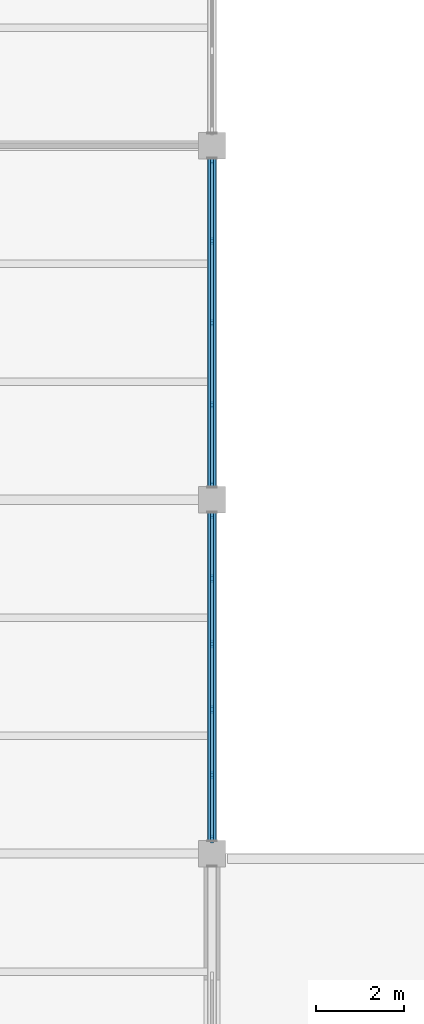
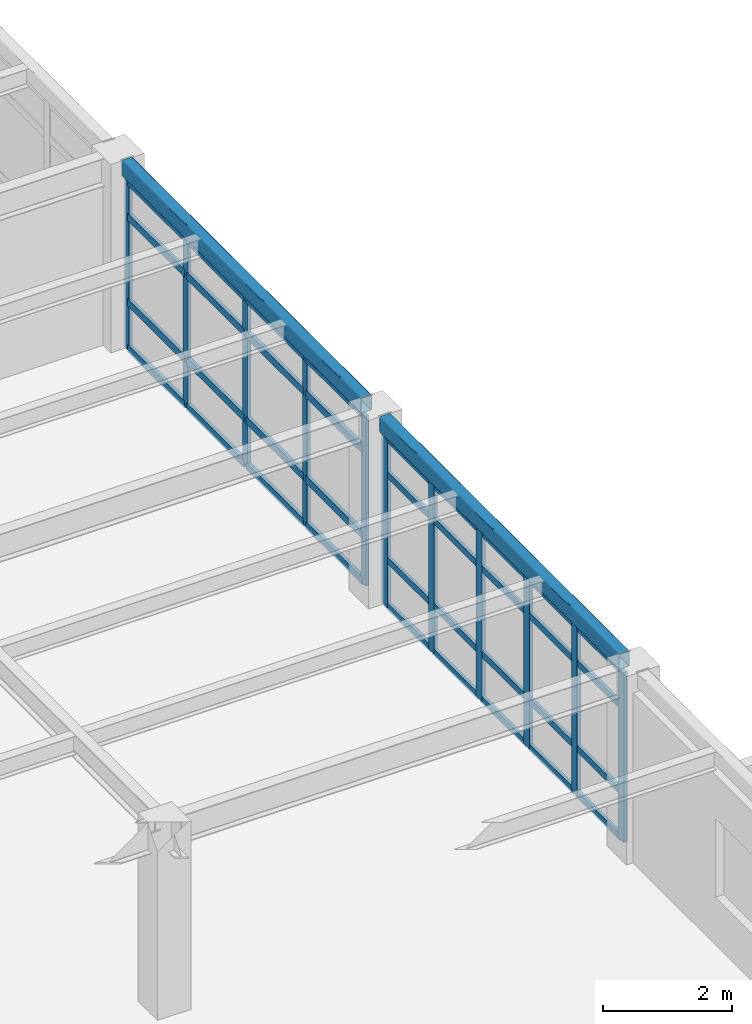
# One storey, part 18 of 96: 47 members, 2 beams, 2 elements without a shape of their own.
"""IFC4 building model written with IfcOpenShell, lengths in metres."""

from ifc_helpers import new_model, si_unit, direction, frame, origin, origin_2d, place, context, subcontext, project, spatial, rectangle, hollow_rectangle, extrude, material, layer, layer_set, material_profile, profile_set, type_object, element, aggregate, save


model = new_model("IFC4")

# Units and contexts
model_context = context("Model", 3, precision=1e-05, world=origin(), true_north=direction((0.0, 1.0)))
body_context = subcontext(model_context, "Body", "Model", "MODEL_VIEW")
ifc_project = project(units=[si_unit("LENGTHUNIT", "METRE"), si_unit("AREAUNIT", "SQUARE_METRE"), si_unit("VOLUMEUNIT", "CUBIC_METRE"), si_unit("PLANEANGLEUNIT", "RADIAN"), si_unit("MASSUNIT", "GRAM", prefix="KILO")], contexts=[model_context])

# Site, building, storey
site_placement = place(None, origin())
site = spatial("IfcSite", under=ifc_project, at=site_placement, CompositionType="ELEMENT")
building_placement = place(site_placement, origin())
building = spatial("IfcBuilding", under=site, at=building_placement, Name="Kranzveld Transit Interchange", CompositionType="ELEMENT")
storey_placement = place(building_placement, frame((0.0, 0.0, 9.52001953125)))
storey = spatial("IfcBuildingStorey", under=building, at=storey_placement, Name="L02", CompositionType="ELEMENT", Elevation=9.52001953125)

# Curtain wall, members
ifc_material_1 = material(Name="Bronze-anodised thermally broken aluminium", Category="aluminium")
ifc_layer_1 = layer(ifc_material_1, 0.159912109375)
ifc_layer_set_1 = layer_set([ifc_layer_1], Name="Bronze-anodised thermally broken aluminium")
curtain_wall_type_1 = type_object("IfcCurtainWallType", Name="Bus Boarding Glazed Screen CW-3", PredefinedType="USERDEFINED", material=ifc_layer_set_1)
curtain_wall_1_placement = place(storey_placement, origin())
curtain_wall_1 = element("IfcCurtainWall", 1, at=curtain_wall_1_placement, inside=storey, type_object=curtain_wall_type_1, Name="L02 Curtain Wall 05/J-05/K", ObjectType="CURTAIN WALL", PredefinedType="USERDEFINED")
ifc_material_2 = material(Name="Bronze-anodised thermally broken aluminium", Category="aluminium")
ifc_material_profile_1 = material_profile(ifc_material_2, rectangle(XDim=0.06005859375, YDim=0.14990234375, at=origin_2d()), Name="ALU MULLION 60x150")
ifc_profile_set_1 = profile_set([ifc_material_profile_1], Name="Bronze-anodised thermally broken aluminium")
member_type_1 = type_object("IfcMemberType", Name="Curtain Wall Mullion 60x150 Alu", PredefinedType="MULLION", material=ifc_profile_set_1)
member_1_placement = place(storey_placement, frame((33.60009765625, 64.330078125, 0.0), z_axis=(0.0, 0.0, 1.0), x_axis=(-1.0, 0.0, 0.0)))
member_1 = element("IfcMember", 2, at=member_1_placement, type_object=member_type_1, Name="CW-3 mullion 1", PredefinedType="MULLION", context=body_context, shape_type="SweptSolid", body=[
    extrude(rectangle(XDim=0.06005859375, YDim=0.14990234375, at=origin_2d()), origin(), (0.0, 0.0, 1.0), 3.218505859375),
])
member_2_placement = place(storey_placement, frame((33.60009765625, 66.14990234375, 0.0), z_axis=(0.0, 0.0, 1.0), x_axis=(-1.0, 0.0, 0.0)))
member_2 = element("IfcMember", 3, at=member_2_placement, type_object=member_type_1, Name="CW-3 mullion 2", PredefinedType="MULLION", context=body_context, shape_type="SweptSolid", body=[
    extrude(rectangle(XDim=0.06005859375, YDim=0.14990234375, at=origin_2d()), origin(), (0.0, 0.0, 1.0), 3.218505859375),
])
member_3_placement = place(storey_placement, frame((33.60009765625, 68.0, 0.0), z_axis=(0.0, 0.0, 1.0), x_axis=(-1.0, 0.0, 0.0)))
member_3 = element("IfcMember", 4, at=member_3_placement, type_object=member_type_1, Name="CW-3 mullion 3", PredefinedType="MULLION", context=body_context, shape_type="SweptSolid", body=[
    extrude(rectangle(XDim=0.06005859375, YDim=0.14990234375, at=origin_2d()), origin(), (0.0, 0.0, 1.0), 3.218505859375),
])
member_4_placement = place(storey_placement, frame((33.60009765625, 69.85009765625, 0.0), z_axis=(0.0, 0.0, 1.0), x_axis=(-1.0, 0.0, 0.0)))
member_4 = element("IfcMember", 5, at=member_4_placement, type_object=member_type_1, Name="CW-3 mullion 4", PredefinedType="MULLION", context=body_context, shape_type="SweptSolid", body=[
    extrude(rectangle(XDim=0.06005859375, YDim=0.14990234375, at=origin_2d()), origin(), (0.0, 0.0, 1.0), 3.218505859375),
])
member_5_placement = place(storey_placement, frame((33.60009765625, 71.669921875, 0.0), z_axis=(0.0, 0.0, 1.0), x_axis=(-1.0, 0.0, 0.0)))
member_5 = element("IfcMember", 6, at=member_5_placement, type_object=member_type_1, Name="CW-3 mullion 5", PredefinedType="MULLION", context=body_context, shape_type="SweptSolid", body=[
    extrude(rectangle(XDim=0.06005859375, YDim=0.14990234375, at=origin_2d()), origin(), (0.0, 0.0, 1.0), 3.218505859375),
])

ifc_material_3 = material(Name="Bronze-anodised thermally broken aluminium", Category="aluminium")
ifc_layer_2 = layer(ifc_material_3, 0.1650390625)
ifc_layer_set_2 = layer_set([ifc_layer_2], Name="Bronze-anodised thermally broken aluminium")
curtain_wall_type_2 = type_object("IfcCurtainWallType", Name="Sunny Court Arcade Curtain Wall CW-2", PredefinedType="USERDEFINED", material=ifc_layer_set_2)
curtain_wall_2_placement = place(storey_placement, origin())
curtain_wall_2 = element("IfcCurtainWall", 7, at=curtain_wall_2_placement, inside=storey, type_object=curtain_wall_type_2, Name="L02 Curtain Wall 05/H-05/J", ObjectType="CURTAIN WALL", PredefinedType="USERDEFINED")
ifc_material_4 = material(Name="Bronze-anodised thermally broken aluminium", Category="aluminium")
ifc_material_profile_2 = material_profile(ifc_material_4, rectangle(XDim=0.06494140625, YDim=0.179931640625, at=origin_2d()), Name="ALU MULLION 65x180")
ifc_profile_set_2 = profile_set([ifc_material_profile_2], Name="Bronze-anodised thermally broken aluminium")
member_type_2 = type_object("IfcMemberType", Name="Curtain Wall Mullion 65x180 Alu", PredefinedType="MULLION", material=ifc_profile_set_2)
member_6_placement = place(storey_placement, frame((33.60009765625, 56.33251953125, 0.0), z_axis=(0.0, 0.0, 1.0), x_axis=(-1.0, 0.0, 0.0)))
member_6 = element("IfcMember", 8, at=member_6_placement, type_object=member_type_2, Name="CW-2 mullion 1", PredefinedType="MULLION", context=body_context, shape_type="SweptSolid", body=[
    extrude(rectangle(XDim=0.06494140625, YDim=0.179931640625, at=origin_2d()), origin(), (0.0, 0.0, 1.0), 3.218505859375),
])
member_7_placement = place(storey_placement, frame((33.60009765625, 57.780029296875, 0.0), z_axis=(0.0, 0.0, 1.0), x_axis=(-1.0, 0.0, 0.0)))
member_7 = element("IfcMember", 9, at=member_7_placement, type_object=member_type_2, Name="CW-2 mullion 2", PredefinedType="MULLION", context=body_context, shape_type="SweptSolid", body=[
    extrude(rectangle(XDim=0.06494140625, YDim=0.179931640625, at=origin_2d()), origin(), (0.0, 0.0, 1.0), 3.218505859375),
])
member_8_placement = place(storey_placement, frame((33.60009765625, 59.260009765625, 0.0), z_axis=(0.0, 0.0, 1.0), x_axis=(-1.0, 0.0, 0.0)))
member_8 = element("IfcMember", 10, at=member_8_placement, type_object=member_type_2, Name="CW-2 mullion 3", PredefinedType="MULLION", context=body_context, shape_type="SweptSolid", body=[
    extrude(rectangle(XDim=0.06494140625, YDim=0.179931640625, at=origin_2d()), origin(), (0.0, 0.0, 1.0), 3.218505859375),
])
member_9_placement = place(storey_placement, frame((33.60009765625, 60.739990234375, 0.0), z_axis=(0.0, 0.0, 1.0), x_axis=(-1.0, 0.0, 0.0)))
member_9 = element("IfcMember", 11, at=member_9_placement, type_object=member_type_2, Name="CW-2 mullion 4", PredefinedType="MULLION", context=body_context, shape_type="SweptSolid", body=[
    extrude(rectangle(XDim=0.06494140625, YDim=0.179931640625, at=origin_2d()), origin(), (0.0, 0.0, 1.0), 3.218505859375),
])
member_10_placement = place(storey_placement, frame((33.60009765625, 62.219970703125, 0.0), z_axis=(0.0, 0.0, 1.0), x_axis=(-1.0, 0.0, 0.0)))
member_10 = element("IfcMember", 12, at=member_10_placement, type_object=member_type_2, Name="CW-2 mullion 5", PredefinedType="MULLION", context=body_context, shape_type="SweptSolid", body=[
    extrude(rectangle(XDim=0.06494140625, YDim=0.179931640625, at=origin_2d()), origin(), (0.0, 0.0, 1.0), 3.218505859375),
])
member_11_placement = place(storey_placement, frame((33.60009765625, 63.66748046875, 0.0), z_axis=(0.0, 0.0, 1.0), x_axis=(-1.0, 0.0, 0.0)))
member_11 = element("IfcMember", 13, at=member_11_placement, type_object=member_type_2, Name="CW-2 mullion 6", PredefinedType="MULLION", context=body_context, shape_type="SweptSolid", body=[
    extrude(rectangle(XDim=0.06494140625, YDim=0.179931640625, at=origin_2d()), origin(), (0.0, 0.0, 1.0), 3.218505859375),
])
ifc_material_5 = material(Name="Bronze-anodised thermally broken aluminium", Category="aluminium")
ifc_material_profile_3 = material_profile(ifc_material_5, rectangle(XDim=0.06005859375, YDim=0.125, at=origin_2d()), Name="ALU TRANSOM 60x125")
ifc_profile_set_3 = profile_set([ifc_material_profile_3], Name="Bronze-anodised thermally broken aluminium")
member_type_3 = type_object("IfcMemberType", Name="Curtain Wall Transom 60x125 Alu", PredefinedType="USERDEFINED", material=ifc_profile_set_3)
member_12_placement = place(storey_placement, frame((33.60009765625, 56.364990234375, 0.030029296875), z_axis=(0.0, 1.0, 0.0), x_axis=(-1.0, 0.0, 0.0)))
member_12 = element("IfcMember", 14, at=member_12_placement, type_object=member_type_3, Name="CW-2 transom 1.1", ObjectType="TRANSOM", PredefinedType="USERDEFINED", context=body_context, shape_type="SweptSolid", body=[
    extrude(rectangle(XDim=0.06005859375, YDim=0.125, at=origin_2d()), origin(), (0.0, 0.0, 1.0), 1.382568359375),
])
member_13_placement = place(storey_placement, frame((33.60009765625, 56.364990234375, 0.89990234375), z_axis=(0.0, 1.0, 0.0), x_axis=(-1.0, 0.0, 0.0)))
member_13 = element("IfcMember", 15, at=member_13_placement, type_object=member_type_3, Name="CW-2 transom 1.2", ObjectType="TRANSOM", PredefinedType="USERDEFINED", context=body_context, shape_type="SweptSolid", body=[
    extrude(rectangle(XDim=0.06005859375, YDim=0.125, at=origin_2d()), origin(), (0.0, 0.0, 1.0), 1.382568359375),
])
member_14_placement = place(storey_placement, frame((33.60009765625, 56.364990234375, 2.5185546875), z_axis=(0.0, 1.0, 0.0), x_axis=(-1.0, 0.0, 0.0)))
member_14 = element("IfcMember", 16, at=member_14_placement, type_object=member_type_3, Name="CW-2 transom 1.3", ObjectType="TRANSOM", PredefinedType="USERDEFINED", context=body_context, shape_type="SweptSolid", body=[
    extrude(rectangle(XDim=0.06005859375, YDim=0.125, at=origin_2d()), origin(), (0.0, 0.0, 1.0), 1.382568359375),
])
member_15_placement = place(storey_placement, frame((33.60009765625, 56.364990234375, 3.1884765625), z_axis=(0.0, 1.0, 0.0), x_axis=(-1.0, 0.0, 0.0)))
member_15 = element("IfcMember", 17, at=member_15_placement, type_object=member_type_3, Name="CW-2 transom 1.4", ObjectType="TRANSOM", PredefinedType="USERDEFINED", context=body_context, shape_type="SweptSolid", body=[
    extrude(rectangle(XDim=0.06005859375, YDim=0.125, at=origin_2d()), origin(), (0.0, 0.0, 1.0), 1.382568359375),
])
member_16_placement = place(storey_placement, frame((33.60009765625, 57.8125, 0.030029296875), z_axis=(0.0, 1.0, 0.0), x_axis=(-1.0, 0.0, 0.0)))
member_16 = element("IfcMember", 18, at=member_16_placement, type_object=member_type_3, Name="CW-2 transom 2.1", ObjectType="TRANSOM", PredefinedType="USERDEFINED", context=body_context, shape_type="SweptSolid", body=[
    extrude(rectangle(XDim=0.06005859375, YDim=0.125, at=origin_2d()), origin(), (0.0, 0.0, 1.0), 1.4150390625),
])
member_17_placement = place(storey_placement, frame((33.60009765625, 57.8125, 0.89990234375), z_axis=(0.0, 1.0, 0.0), x_axis=(-1.0, 0.0, 0.0)))
member_17 = element("IfcMember", 19, at=member_17_placement, type_object=member_type_3, Name="CW-2 transom 2.2", ObjectType="TRANSOM", PredefinedType="USERDEFINED", context=body_context, shape_type="SweptSolid", body=[
    extrude(rectangle(XDim=0.06005859375, YDim=0.125, at=origin_2d()), origin(), (0.0, 0.0, 1.0), 1.4150390625),
])
member_18_placement = place(storey_placement, frame((33.60009765625, 57.8125, 2.5185546875), z_axis=(0.0, 1.0, 0.0), x_axis=(-1.0, 0.0, 0.0)))
member_18 = element("IfcMember", 20, at=member_18_placement, type_object=member_type_3, Name="CW-2 transom 2.3", ObjectType="TRANSOM", PredefinedType="USERDEFINED", context=body_context, shape_type="SweptSolid", body=[
    extrude(rectangle(XDim=0.06005859375, YDim=0.125, at=origin_2d()), origin(), (0.0, 0.0, 1.0), 1.4150390625),
])
member_19_placement = place(storey_placement, frame((33.60009765625, 57.8125, 3.1884765625), z_axis=(0.0, 1.0, 0.0), x_axis=(-1.0, 0.0, 0.0)))
member_19 = element("IfcMember", 21, at=member_19_placement, type_object=member_type_3, Name="CW-2 transom 2.4", ObjectType="TRANSOM", PredefinedType="USERDEFINED", context=body_context, shape_type="SweptSolid", body=[
    extrude(rectangle(XDim=0.06005859375, YDim=0.125, at=origin_2d()), origin(), (0.0, 0.0, 1.0), 1.4150390625),
])
member_20_placement = place(storey_placement, frame((33.60009765625, 59.29248046875, 0.030029296875), z_axis=(0.0, 1.0, 0.0), x_axis=(-1.0, 0.0, 0.0)))
member_20 = element("IfcMember", 22, at=member_20_placement, type_object=member_type_3, Name="CW-2 transom 3.1", ObjectType="TRANSOM", PredefinedType="USERDEFINED", context=body_context, shape_type="SweptSolid", body=[
    extrude(rectangle(XDim=0.06005859375, YDim=0.125, at=origin_2d()), origin(), (0.0, 0.0, 1.0), 1.4150390625),
])
member_21_placement = place(storey_placement, frame((33.60009765625, 59.29248046875, 0.89990234375), z_axis=(0.0, 1.0, 0.0), x_axis=(-1.0, 0.0, 0.0)))
member_21 = element("IfcMember", 23, at=member_21_placement, type_object=member_type_3, Name="CW-2 transom 3.2", ObjectType="TRANSOM", PredefinedType="USERDEFINED", context=body_context, shape_type="SweptSolid", body=[
    extrude(rectangle(XDim=0.06005859375, YDim=0.125, at=origin_2d()), origin(), (0.0, 0.0, 1.0), 1.4150390625),
])
member_22_placement = place(storey_placement, frame((33.60009765625, 59.29248046875, 2.5185546875), z_axis=(0.0, 1.0, 0.0), x_axis=(-1.0, 0.0, 0.0)))
member_22 = element("IfcMember", 24, at=member_22_placement, type_object=member_type_3, Name="CW-2 transom 3.3", ObjectType="TRANSOM", PredefinedType="USERDEFINED", context=body_context, shape_type="SweptSolid", body=[
    extrude(rectangle(XDim=0.06005859375, YDim=0.125, at=origin_2d()), origin(), (0.0, 0.0, 1.0), 1.4150390625),
])
member_23_placement = place(storey_placement, frame((33.60009765625, 59.29248046875, 3.1884765625), z_axis=(0.0, 1.0, 0.0), x_axis=(-1.0, 0.0, 0.0)))
member_23 = element("IfcMember", 25, at=member_23_placement, type_object=member_type_3, Name="CW-2 transom 3.4", ObjectType="TRANSOM", PredefinedType="USERDEFINED", context=body_context, shape_type="SweptSolid", body=[
    extrude(rectangle(XDim=0.06005859375, YDim=0.125, at=origin_2d()), origin(), (0.0, 0.0, 1.0), 1.4150390625),
])
member_24_placement = place(storey_placement, frame((33.60009765625, 60.7724609375, 0.030029296875), z_axis=(0.0, 1.0, 0.0), x_axis=(-1.0, 0.0, 0.0)))
member_24 = element("IfcMember", 26, at=member_24_placement, type_object=member_type_3, Name="CW-2 transom 4.1", ObjectType="TRANSOM", PredefinedType="USERDEFINED", context=body_context, shape_type="SweptSolid", body=[
    extrude(rectangle(XDim=0.06005859375, YDim=0.125, at=origin_2d()), origin(), (0.0, 0.0, 1.0), 1.4150390625),
])
member_25_placement = place(storey_placement, frame((33.60009765625, 60.7724609375, 0.89990234375), z_axis=(0.0, 1.0, 0.0), x_axis=(-1.0, 0.0, 0.0)))
member_25 = element("IfcMember", 27, at=member_25_placement, type_object=member_type_3, Name="CW-2 transom 4.2", ObjectType="TRANSOM", PredefinedType="USERDEFINED", context=body_context, shape_type="SweptSolid", body=[
    extrude(rectangle(XDim=0.06005859375, YDim=0.125, at=origin_2d()), origin(), (0.0, 0.0, 1.0), 1.4150390625),
])
member_26_placement = place(storey_placement, frame((33.60009765625, 60.7724609375, 2.5185546875), z_axis=(0.0, 1.0, 0.0), x_axis=(-1.0, 0.0, 0.0)))
member_26 = element("IfcMember", 28, at=member_26_placement, type_object=member_type_3, Name="CW-2 transom 4.3", ObjectType="TRANSOM", PredefinedType="USERDEFINED", context=body_context, shape_type="SweptSolid", body=[
    extrude(rectangle(XDim=0.06005859375, YDim=0.125, at=origin_2d()), origin(), (0.0, 0.0, 1.0), 1.4150390625),
])
member_27_placement = place(storey_placement, frame((33.60009765625, 60.7724609375, 3.1884765625), z_axis=(0.0, 1.0, 0.0), x_axis=(-1.0, 0.0, 0.0)))
member_27 = element("IfcMember", 29, at=member_27_placement, type_object=member_type_3, Name="CW-2 transom 4.4", ObjectType="TRANSOM", PredefinedType="USERDEFINED", context=body_context, shape_type="SweptSolid", body=[
    extrude(rectangle(XDim=0.06005859375, YDim=0.125, at=origin_2d()), origin(), (0.0, 0.0, 1.0), 1.4150390625),
])
member_28_placement = place(storey_placement, frame((33.60009765625, 62.25244140625, 0.030029296875), z_axis=(0.0, 1.0, 0.0), x_axis=(-1.0, 0.0, 0.0)))
member_28 = element("IfcMember", 30, at=member_28_placement, type_object=member_type_3, Name="CW-2 transom 5.1", ObjectType="TRANSOM", PredefinedType="USERDEFINED", context=body_context, shape_type="SweptSolid", body=[
    extrude(rectangle(XDim=0.06005859375, YDim=0.125, at=origin_2d()), origin(), (0.0, 0.0, 1.0), 1.382568359375),
])
member_29_placement = place(storey_placement, frame((33.60009765625, 62.25244140625, 0.89990234375), z_axis=(0.0, 1.0, 0.0), x_axis=(-1.0, 0.0, 0.0)))
member_29 = element("IfcMember", 31, at=member_29_placement, type_object=member_type_3, Name="CW-2 transom 5.2", ObjectType="TRANSOM", PredefinedType="USERDEFINED", context=body_context, shape_type="SweptSolid", body=[
    extrude(rectangle(XDim=0.06005859375, YDim=0.125, at=origin_2d()), origin(), (0.0, 0.0, 1.0), 1.382568359375),
])
member_30_placement = place(storey_placement, frame((33.60009765625, 62.25244140625, 2.5185546875), z_axis=(0.0, 1.0, 0.0), x_axis=(-1.0, 0.0, 0.0)))
member_30 = element("IfcMember", 32, at=member_30_placement, type_object=member_type_3, Name="CW-2 transom 5.3", ObjectType="TRANSOM", PredefinedType="USERDEFINED", context=body_context, shape_type="SweptSolid", body=[
    extrude(rectangle(XDim=0.06005859375, YDim=0.125, at=origin_2d()), origin(), (0.0, 0.0, 1.0), 1.382568359375),
])
member_31_placement = place(storey_placement, frame((33.60009765625, 62.25244140625, 3.1884765625), z_axis=(0.0, 1.0, 0.0), x_axis=(-1.0, 0.0, 0.0)))
member_31 = element("IfcMember", 33, at=member_31_placement, type_object=member_type_3, Name="CW-2 transom 5.4", ObjectType="TRANSOM", PredefinedType="USERDEFINED", context=body_context, shape_type="SweptSolid", body=[
    extrude(rectangle(XDim=0.06005859375, YDim=0.125, at=origin_2d()), origin(), (0.0, 0.0, 1.0), 1.382568359375),
])
aggregate(curtain_wall_2, [member_6, member_7, member_8, member_9, member_10, member_11, member_12, member_13, member_14, member_15, member_16, member_17, member_18, member_19, member_20, member_21, member_22, member_23, member_24, member_25, member_26, member_27, member_28, member_29, member_30, member_31])

# Member
ifc_material_6 = material(Name="Bronze-anodised thermally broken aluminium", Category="aluminium")
ifc_material_profile_4 = material_profile(ifc_material_6, rectangle(XDim=0.06494140625, YDim=0.139892578125, at=origin_2d()), Name="ALU TRANSOM 65x140")
ifc_profile_set_4 = profile_set([ifc_material_profile_4], Name="Bronze-anodised thermally broken aluminium")
member_type_4 = type_object("IfcMemberType", Name="Curtain Wall Transom 65x140 Alu", PredefinedType="USERDEFINED", material=ifc_profile_set_4)
member_32_placement = place(storey_placement, frame((33.60009765625, 64.360107421875, 0.032470703125), z_axis=(0.0, 1.0, 0.0), x_axis=(-1.0, 0.0, 0.0)))
member_32 = element("IfcMember", 34, at=member_32_placement, type_object=member_type_4, Name="CW-3 transom 1.1", ObjectType="TRANSOM", PredefinedType="USERDEFINED", context=body_context, shape_type="SweptSolid", body=[
    extrude(rectangle(XDim=0.06494140625, YDim=0.139892578125, at=origin_2d()), origin(), (0.0, 0.0, 1.0), 1.760009765625),
])

member_33_placement = place(storey_placement, frame((33.60009765625, 64.360107421875, 0.89990234375), z_axis=(0.0, 1.0, 0.0), x_axis=(-1.0, 0.0, 0.0)))
member_33 = element("IfcMember", 35, at=member_33_placement, type_object=member_type_4, Name="CW-3 transom 1.2", ObjectType="TRANSOM", PredefinedType="USERDEFINED", context=body_context, shape_type="SweptSolid", body=[
    extrude(rectangle(XDim=0.06494140625, YDim=0.139892578125, at=origin_2d()), origin(), (0.0, 0.0, 1.0), 1.760009765625),
])

member_34_placement = place(storey_placement, frame((33.60009765625, 64.360107421875, 2.5185546875), z_axis=(0.0, 1.0, 0.0), x_axis=(-1.0, 0.0, 0.0)))
member_34 = element("IfcMember", 36, at=member_34_placement, type_object=member_type_4, Name="CW-3 transom 1.3", ObjectType="TRANSOM", PredefinedType="USERDEFINED", context=body_context, shape_type="SweptSolid", body=[
    extrude(rectangle(XDim=0.06494140625, YDim=0.139892578125, at=origin_2d()), origin(), (0.0, 0.0, 1.0), 1.760009765625),
])

member_35_placement = place(storey_placement, frame((33.60009765625, 64.360107421875, 3.18603515625), z_axis=(0.0, 1.0, 0.0), x_axis=(-1.0, 0.0, 0.0)))
member_35 = element("IfcMember", 37, at=member_35_placement, type_object=member_type_4, Name="CW-3 transom 1.4", ObjectType="TRANSOM", PredefinedType="USERDEFINED", context=body_context, shape_type="SweptSolid", body=[
    extrude(rectangle(XDim=0.06494140625, YDim=0.139892578125, at=origin_2d()), origin(), (0.0, 0.0, 1.0), 1.760009765625),
])

member_36_placement = place(storey_placement, frame((33.60009765625, 66.179931640625, 0.032470703125), z_axis=(0.0, 1.0, 0.0), x_axis=(-1.0, 0.0, 0.0)))
member_36 = element("IfcMember", 38, at=member_36_placement, type_object=member_type_4, Name="CW-3 transom 2.1", ObjectType="TRANSOM", PredefinedType="USERDEFINED", context=body_context, shape_type="SweptSolid", body=[
    extrude(rectangle(XDim=0.06494140625, YDim=0.139892578125, at=origin_2d()), origin(), (0.0, 0.0, 1.0), 1.7900390625),
])

member_37_placement = place(storey_placement, frame((33.60009765625, 66.179931640625, 0.89990234375), z_axis=(0.0, 1.0, 0.0), x_axis=(-1.0, 0.0, 0.0)))
member_37 = element("IfcMember", 39, at=member_37_placement, type_object=member_type_4, Name="CW-3 transom 2.2", ObjectType="TRANSOM", PredefinedType="USERDEFINED", context=body_context, shape_type="SweptSolid", body=[
    extrude(rectangle(XDim=0.06494140625, YDim=0.139892578125, at=origin_2d()), origin(), (0.0, 0.0, 1.0), 1.7900390625),
])

member_38_placement = place(storey_placement, frame((33.60009765625, 66.179931640625, 2.5185546875), z_axis=(0.0, 1.0, 0.0), x_axis=(-1.0, 0.0, 0.0)))
member_38 = element("IfcMember", 40, at=member_38_placement, type_object=member_type_4, Name="CW-3 transom 2.3", ObjectType="TRANSOM", PredefinedType="USERDEFINED", context=body_context, shape_type="SweptSolid", body=[
    extrude(rectangle(XDim=0.06494140625, YDim=0.139892578125, at=origin_2d()), origin(), (0.0, 0.0, 1.0), 1.7900390625),
])

member_39_placement = place(storey_placement, frame((33.60009765625, 66.179931640625, 3.18603515625), z_axis=(0.0, 1.0, 0.0), x_axis=(-1.0, 0.0, 0.0)))
member_39 = element("IfcMember", 41, at=member_39_placement, type_object=member_type_4, Name="CW-3 transom 2.4", ObjectType="TRANSOM", PredefinedType="USERDEFINED", context=body_context, shape_type="SweptSolid", body=[
    extrude(rectangle(XDim=0.06494140625, YDim=0.139892578125, at=origin_2d()), origin(), (0.0, 0.0, 1.0), 1.7900390625),
])

member_40_placement = place(storey_placement, frame((33.60009765625, 68.030029296875, 0.032470703125), z_axis=(0.0, 1.0, 0.0), x_axis=(-1.0, 0.0, 0.0)))
member_40 = element("IfcMember", 42, at=member_40_placement, type_object=member_type_4, Name="CW-3 transom 3.1", ObjectType="TRANSOM", PredefinedType="USERDEFINED", context=body_context, shape_type="SweptSolid", body=[
    extrude(rectangle(XDim=0.06494140625, YDim=0.139892578125, at=origin_2d()), origin(), (0.0, 0.0, 1.0), 1.7900390625),
])

member_41_placement = place(storey_placement, frame((33.60009765625, 68.030029296875, 0.89990234375), z_axis=(0.0, 1.0, 0.0), x_axis=(-1.0, 0.0, 0.0)))
member_41 = element("IfcMember", 43, at=member_41_placement, type_object=member_type_4, Name="CW-3 transom 3.2", ObjectType="TRANSOM", PredefinedType="USERDEFINED", context=body_context, shape_type="SweptSolid", body=[
    extrude(rectangle(XDim=0.06494140625, YDim=0.139892578125, at=origin_2d()), origin(), (0.0, 0.0, 1.0), 1.7900390625),
])

member_42_placement = place(storey_placement, frame((33.60009765625, 68.030029296875, 2.5185546875), z_axis=(0.0, 1.0, 0.0), x_axis=(-1.0, 0.0, 0.0)))
member_42 = element("IfcMember", 44, at=member_42_placement, type_object=member_type_4, Name="CW-3 transom 3.3", ObjectType="TRANSOM", PredefinedType="USERDEFINED", context=body_context, shape_type="SweptSolid", body=[
    extrude(rectangle(XDim=0.06494140625, YDim=0.139892578125, at=origin_2d()), origin(), (0.0, 0.0, 1.0), 1.7900390625),
])

member_43_placement = place(storey_placement, frame((33.60009765625, 68.030029296875, 3.18603515625), z_axis=(0.0, 1.0, 0.0), x_axis=(-1.0, 0.0, 0.0)))
member_43 = element("IfcMember", 45, at=member_43_placement, type_object=member_type_4, Name="CW-3 transom 3.4", ObjectType="TRANSOM", PredefinedType="USERDEFINED", context=body_context, shape_type="SweptSolid", body=[
    extrude(rectangle(XDim=0.06494140625, YDim=0.139892578125, at=origin_2d()), origin(), (0.0, 0.0, 1.0), 1.7900390625),
])

member_44_placement = place(storey_placement, frame((33.60009765625, 69.8798828125, 0.032470703125), z_axis=(0.0, 1.0, 0.0), x_axis=(-1.0, 0.0, 0.0)))
member_44 = element("IfcMember", 46, at=member_44_placement, type_object=member_type_4, Name="CW-3 transom 4.1", ObjectType="TRANSOM", PredefinedType="USERDEFINED", context=body_context, shape_type="SweptSolid", body=[
    extrude(rectangle(XDim=0.06494140625, YDim=0.139892578125, at=origin_2d()), origin(), (0.0, 0.0, 1.0), 1.760009765625),
])

member_45_placement = place(storey_placement, frame((33.60009765625, 69.8798828125, 0.89990234375), z_axis=(0.0, 1.0, 0.0), x_axis=(-1.0, 0.0, 0.0)))
member_45 = element("IfcMember", 47, at=member_45_placement, type_object=member_type_4, Name="CW-3 transom 4.2", ObjectType="TRANSOM", PredefinedType="USERDEFINED", context=body_context, shape_type="SweptSolid", body=[
    extrude(rectangle(XDim=0.06494140625, YDim=0.139892578125, at=origin_2d()), origin(), (0.0, 0.0, 1.0), 1.760009765625),
])

member_46_placement = place(storey_placement, frame((33.60009765625, 69.8798828125, 2.5185546875), z_axis=(0.0, 1.0, 0.0), x_axis=(-1.0, 0.0, 0.0)))
member_46 = element("IfcMember", 48, at=member_46_placement, type_object=member_type_4, Name="CW-3 transom 4.3", ObjectType="TRANSOM", PredefinedType="USERDEFINED", context=body_context, shape_type="SweptSolid", body=[
    extrude(rectangle(XDim=0.06494140625, YDim=0.139892578125, at=origin_2d()), origin(), (0.0, 0.0, 1.0), 1.760009765625),
])

member_47_placement = place(storey_placement, frame((33.60009765625, 69.8798828125, 3.18603515625), z_axis=(0.0, 1.0, 0.0), x_axis=(-1.0, 0.0, 0.0)))
member_47 = element("IfcMember", 49, at=member_47_placement, type_object=member_type_4, Name="CW-3 transom 4.4", ObjectType="TRANSOM", PredefinedType="USERDEFINED", context=body_context, shape_type="SweptSolid", body=[
    extrude(rectangle(XDim=0.06494140625, YDim=0.139892578125, at=origin_2d()), origin(), (0.0, 0.0, 1.0), 1.760009765625),
])

aggregate(curtain_wall_1, [member_1, member_2, member_3, member_4, member_5, member_32, member_33, member_34, member_35, member_36, member_37, member_38, member_39, member_40, member_41, member_42, member_43, member_44, member_45, member_46, member_47])

# Beams
ifc_material_7 = material(Name="Steel S355JR", Category="steel")
ifc_material_profile_5 = material_profile(ifc_material_7, hollow_rectangle(XDim=0.199951171875, YDim=0.300048828125, WallThickness=0.010009765625, InnerFilletRadius=0.014892578125, OuterFilletRadius=0.02490234375, at=origin_2d()), Name="RHS 300x200x10")
ifc_profile_set_5 = profile_set([ifc_material_profile_5], Name="Steel S355JR")
beam_type = type_object("IfcBeamType", Name="Edge Spandrel RHS 300x200x10 S355JR", PredefinedType="SPANDREL", material=ifc_profile_set_5)
for number, where, z_axis, x_axis, name in (
    (50, (33.60009765625, 56.2900390625, 3.419921875), (0.0, 1.0, 0.0), (-1.0, 0.0, 0.0), "L02 Girder 05/H-J"),
    (51, (33.60009765625, 64.2900390625, 3.419921875), (0.0, 1.0, 0.0), (-1.0, 0.0, 0.0), "L02 Girder 05/J-K"),
):
    element("IfcBeam", number, at=place(storey_placement, frame(where, z_axis=z_axis, x_axis=x_axis)), inside=storey, type_object=beam_type, Name=name, PredefinedType="SPANDREL", context=body_context, shape_type="SweptSolid", body=[
        extrude(hollow_rectangle(XDim=0.199951171875, YDim=0.300048828125, WallThickness=0.010009765625, InnerFilletRadius=0.014892578125, OuterFilletRadius=0.02490234375, at=origin_2d()), origin(), (0.0, 0.0, 1.0), 7.419921875),
    ])

save(model, "model.ifc")
